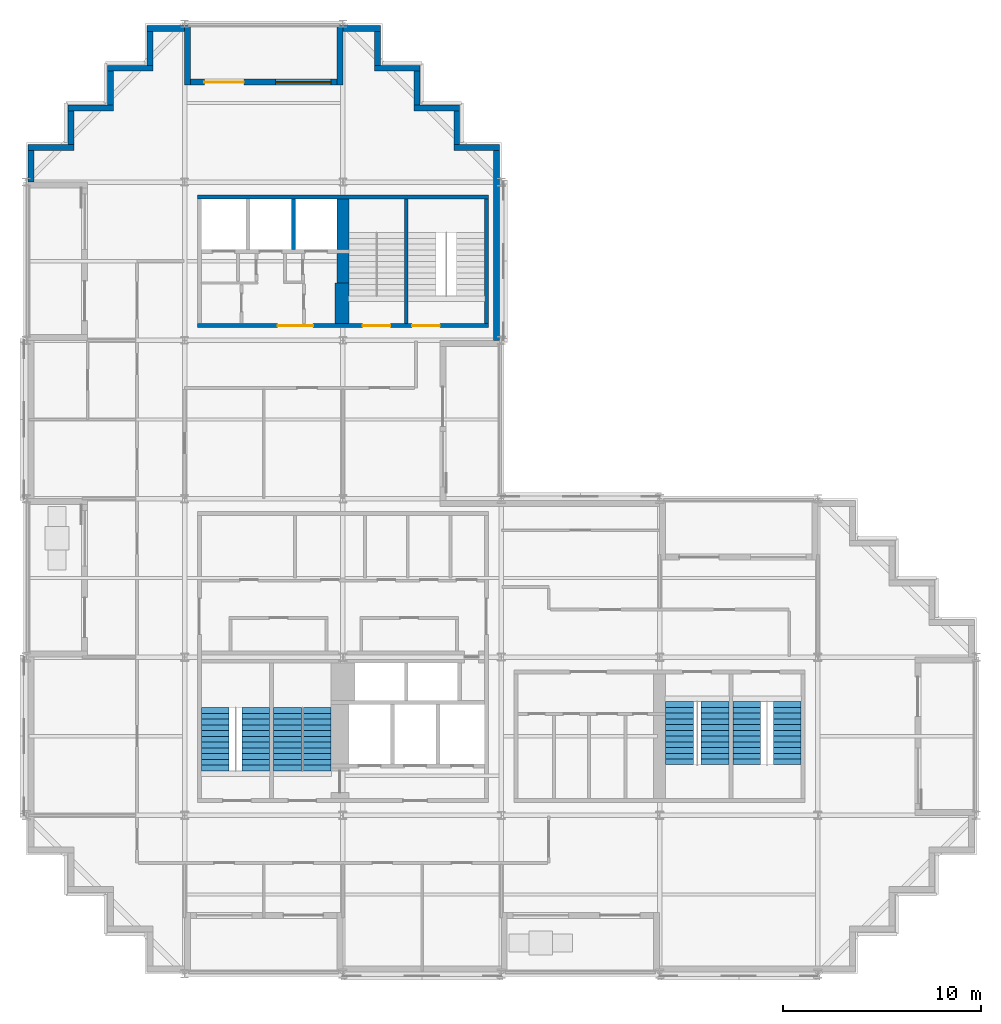
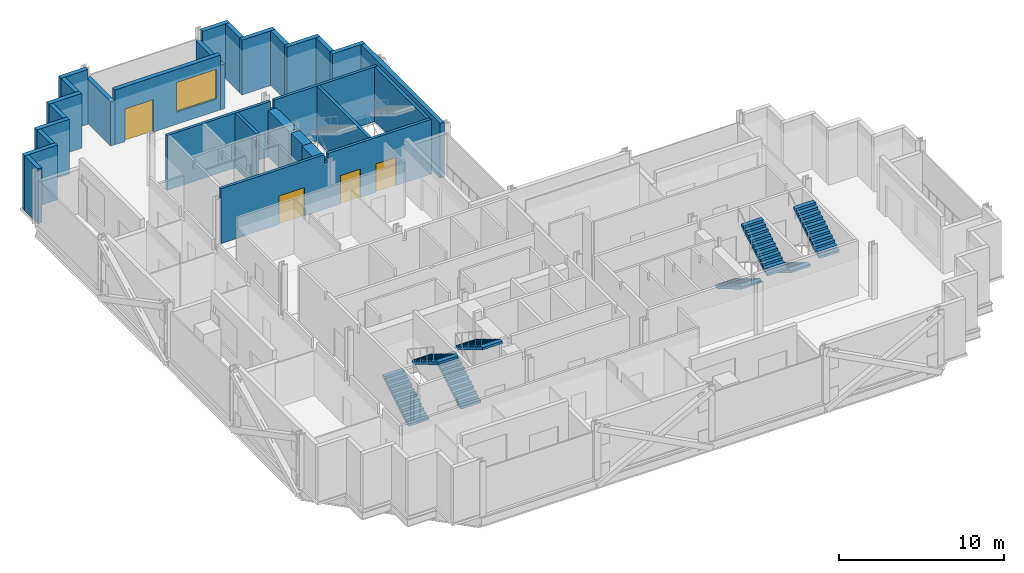
# One storey, part 9 of 13: 27 walls, 8 stair flights, 4 doors, 1 window, 5 openings, 4 elements without a shape of their own.
"""IFC4 building model written with IfcOpenShell, lengths in metres."""

from ifc_helpers import new_model, si_unit, direction, frame, frame_2d, origin, place, context, subcontext, project, spatial, polyline, rectangle, outline, extrude, material, layer, layer_set, type_object, element, fill, aggregate, save


model = new_model("IFC4")

# Units and contexts
model_context = context("Model", 3, precision=1e-05, world=origin(), true_north=direction((0.0, 1.0)))
body_context = subcontext(model_context, "Body", "Model", "MODEL_VIEW")
ifc_project = project(units=[si_unit("LENGTHUNIT", "METRE"), si_unit("AREAUNIT", "SQUARE_METRE"), si_unit("VOLUMEUNIT", "CUBIC_METRE"), si_unit("PLANEANGLEUNIT", "RADIAN"), si_unit("MASSUNIT", "GRAM", prefix="KILO")], contexts=[model_context])

# Site, building, storey
site_placement = place(None, origin())
site = spatial("IfcSite", under=ifc_project, at=site_placement, CompositionType="ELEMENT")
building_placement = place(site_placement, origin())
building = spatial("IfcBuilding", under=site, at=building_placement, Name="Immortelle Media Tower", CompositionType="ELEMENT")
storey_placement = place(building_placement, frame((0.0, 0.0, 128.39990234375)))
storey = spatial("IfcBuildingStorey", under=building, at=storey_placement, Name="L25", CompositionType="ELEMENT", Elevation=128.39990234375)

# Walls
ifc_material_1 = material(Name="Fire-rated gypsum board", Category="gypsum")
ifc_layer_1 = layer(ifc_material_1, 0.03759765625)
ifc_material_2 = material(Name="Steel ASTM A653 SS Gr 50 stud frame with mineral wool", Category="steel")
ifc_layer_2 = layer(ifc_material_2, 0.125)
ifc_layer_3 = layer(ifc_material_1, 0.03759765625)
ifc_layer_set_1 = layer_set([ifc_layer_1, ifc_layer_2, ifc_layer_3], Name="Steel ASTM A653 SS Gr 50 stud frame with mineral wool")
wall_type_1 = type_object("IfcWallType", Name="Core shaft wall 200", PredefinedType="PARTITIONING", material=ifc_layer_set_1)
wall_1_placement = place(storey_placement, frame((13.5, 36.60009765625, 0.0), z_axis=(0.0, 0.0, 1.0), x_axis=(0.0, 1.0, 0.0)))
element("IfcWall", 1, at=wall_1_placement, inside=storey, type_object=wall_type_1, Name="Core shaft wall NW", PredefinedType="PARTITIONING", context=body_context, shape_type="SweptSolid", body=[
    extrude(rectangle(XDim=2.5498046875, YDim=0.199951171875, at=frame_2d((1.27490234375, 0.0))), origin(), (0.0, 0.0, 1.0), 4.050048828125),
])
ifc_material_3 = material(Name="Pale aluminium cladding panel", Category="aluminium")
ifc_layer_4 = layer(ifc_material_3, 0.030029296875)
ifc_layer_5 = layer(ifc_material_2, 0.257568359375)
ifc_material_4 = material(Name="Moisture-resistant gypsum board", Category="gypsum")
ifc_layer_6 = layer(ifc_material_4, 0.012451171875)
ifc_layer_set_2 = layer_set([ifc_layer_4, ifc_layer_5, ifc_layer_6], Name="Steel ASTM A653 SS Gr 50 stud frame with mineral wool")
wall_type_2 = type_object("IfcWallType", Name="Facade wall 300", PredefinedType="SOLIDWALL", material=ifc_layer_set_2)
wall_2_placement = place(storey_placement, frame((23.75, 32.0, 0.0), z_axis=(0.0, 0.0, 1.0), x_axis=(0.0, 1.0, 0.0)))
element("IfcWall", 2, at=wall_2_placement, inside=storey, type_object=wall_type_2, Name="Facade wall L25 E21", PredefinedType="SOLIDWALL", context=body_context, shape_type="SweptSolid", body=[
    extrude(rectangle(XDim=9.60009765625, YDim=0.300048828125, at=frame_2d((4.800048828125, 0.0))), origin(), (0.0, 0.0, 1.0), 4.050048828125),
])
wall_3_placement = place(storey_placement, frame((23.89990234375, 41.75, 0.0), z_axis=(0.0, 0.0, 1.0), x_axis=(-1.0, 0.0, 0.0)))
element("IfcWall", 3, at=wall_3_placement, inside=storey, type_object=wall_type_2, Name="Facade wall L25 N22", PredefinedType="SOLIDWALL", context=body_context, shape_type="SweptSolid", body=[
    extrude(rectangle(XDim=2.2998046875, YDim=0.300048828125, at=frame_2d((1.14990234375, 0.0))), origin(), (0.0, 0.0, 1.0), 4.050048828125),
])
wall_4_placement = place(storey_placement, frame((21.75, 41.89990234375, 0.0), z_axis=(0.0, 0.0, 1.0), x_axis=(0.0, 1.0, 0.0)))
element("IfcWall", 4, at=wall_4_placement, inside=storey, type_object=wall_type_2, Name="Facade wall L25 E23", PredefinedType="SOLIDWALL", context=body_context, shape_type="SweptSolid", body=[
    extrude(rectangle(XDim=1.7001953125, YDim=0.300048828125, at=frame_2d((0.85009765625, 0.0))), origin(), (0.0, 0.0, 1.0), 4.050048828125),
])
wall_5_placement = place(storey_placement, frame((21.89990234375, 43.75, 0.0), z_axis=(0.0, 0.0, 1.0), x_axis=(-1.0, 0.0, 0.0)))
element("IfcWall", 5, at=wall_5_placement, inside=storey, type_object=wall_type_2, Name="Facade wall L25 N24", PredefinedType="SOLIDWALL", context=body_context, shape_type="SweptSolid", body=[
    extrude(rectangle(XDim=2.2998046875, YDim=0.300048828125, at=frame_2d((1.14990234375, 0.0))), origin(), (0.0, 0.0, 1.0), 4.050048828125),
])
wall_6_placement = place(storey_placement, frame((19.75, 43.89990234375, 0.0), z_axis=(0.0, 0.0, 1.0), x_axis=(0.0, 1.0, 0.0)))
element("IfcWall", 6, at=wall_6_placement, inside=storey, type_object=wall_type_2, Name="Facade wall L25 E25", PredefinedType="SOLIDWALL", context=body_context, shape_type="SweptSolid", body=[
    extrude(rectangle(XDim=1.7001953125, YDim=0.300048828125, at=frame_2d((0.85009765625, 0.0))), origin(), (0.0, 0.0, 1.0), 4.050048828125),
])
wall_7_placement = place(storey_placement, frame((19.89990234375, 45.75, 0.0), z_axis=(0.0, 0.0, 1.0), x_axis=(-1.0, 0.0, 0.0)))
element("IfcWall", 7, at=wall_7_placement, inside=storey, type_object=wall_type_2, Name="Facade wall L25 N26", PredefinedType="SOLIDWALL", context=body_context, shape_type="SweptSolid", body=[
    extrude(rectangle(XDim=2.2998046875, YDim=0.300048828125, at=frame_2d((1.14990234375, 0.0))), origin(), (0.0, 0.0, 1.0), 4.050048828125),
])
wall_8_placement = place(storey_placement, frame((17.75, 45.89990234375, 0.0), z_axis=(0.0, 0.0, 1.0), x_axis=(0.0, 1.0, 0.0)))
element("IfcWall", 8, at=wall_8_placement, inside=storey, type_object=wall_type_2, Name="Facade wall L25 E27", PredefinedType="SOLIDWALL", context=body_context, shape_type="SweptSolid", body=[
    extrude(rectangle(XDim=1.7001953125, YDim=0.300048828125, at=frame_2d((0.85009765625, 0.0))), origin(), (0.0, 0.0, 1.0), 4.050048828125),
])
wall_9_placement = place(storey_placement, frame((17.89990234375, 47.75, 0.0), z_axis=(0.0, 0.0, 1.0), x_axis=(-1.0, 0.0, 0.0)))
element("IfcWall", 9, at=wall_9_placement, inside=storey, type_object=wall_type_2, Name="Facade wall L25 N28", PredefinedType="SOLIDWALL", context=body_context, shape_type="SweptSolid", body=[
    extrude(rectangle(XDim=1.89990234375, YDim=0.300048828125, at=frame_2d((0.949951171875, 0.0))), origin(), (0.0, 0.0, 1.0), 4.050048828125),
])

# Wall, openings, door, window
wall_10_placement = place(storey_placement, frame((15.699951171875, 45.050048828125, 0.0), z_axis=(0.0, 0.0, 1.0), x_axis=(-1.0, 0.0, 0.0)))
wall_10 = element("IfcWall", 10, at=wall_10_placement, inside=storey, type_object=wall_type_2, Name="Loggia wall L25 N28", PredefinedType="SOLIDWALL", context=body_context, shape_type="SweptSolid", body=[
    extrude(rectangle(XDim=7.39990234375, YDim=0.300048828125, at=frame_2d((3.699951171875, 0.0))), origin(), (0.0, 0.0, 1.0), 4.050048828125),
])
opening_1_placement = place(wall_10_placement, frame((0.300048828125, 0.0, 0.89990234375)))
opening_1 = element("IfcOpeningElement", 11, at=opening_1_placement, cuts=wall_10, Name="Opening W1", PredefinedType="OPENING", context=body_context, shape_type="SweptSolid", body=[
    extrude(rectangle(XDim=2.800048828125, YDim=2.199951171875, at=frame_2d((1.39990234375, 1.10009765625))), frame((0.0, 0.159912109375, 0.0), z_axis=(0.0, -1.0, 0.0), x_axis=(1.0, 0.0, 0.0)), (0.0, 0.0, 1.0), 0.320068359375),
])
opening_2_placement = place(wall_10_placement, frame((4.699951171875, 0.0, 0.0)))
opening_2 = element("IfcOpeningElement", 12, at=opening_2_placement, cuts=wall_10, Name="Opening C1-E006", PredefinedType="OPENING", context=body_context, shape_type="SweptSolid", body=[
    extrude(rectangle(XDim=2.0, YDim=2.39990234375, at=frame_2d((1.0, 1.199951171875))), frame((0.0, 0.159912109375, 0.0), z_axis=(0.0, -1.0, 0.0), x_axis=(1.0, 0.0, 0.0)), (0.0, 0.0, 1.0), 0.320068359375),
])
ifc_material_5 = material(Name="Aluminium frame, glazed leaves", Category="aluminium")
door_type_1 = type_object("IfcDoorType", Name="Loggia door 2000 x 2400", OperationType="DOUBLE_DOOR_SINGLE_SWING", PredefinedType="DOOR", material=ifc_material_5)
door_1_placement = place(opening_2_placement, origin())
door_1 = element("IfcDoor", 13, at=door_1_placement, inside=storey, type_object=door_type_1, Name="Door C1-E006", OperationType="DOUBLE_DOOR_SINGLE_SWING", OverallHeight=2.39990234375, OverallWidth=2.0, PredefinedType="DOOR", context=body_context, shape_type="SweptSolid", body=[
    extrude(rectangle(XDim=2.0, YDim=2.39990234375, at=frame_2d((1.0, 1.199951171875))), frame((0.0, 0.02490234375, 0.0), z_axis=(0.0, -1.0, 0.0), x_axis=(1.0, 0.0, 0.0)), (0.0, 0.0, 1.0), 0.050048828125),
])
fill(opening_2, door_1)
ifc_material_6 = material(Name="Aluminium frame", Category="aluminium")
window_type = type_object("IfcWindowType", Name="Window 2800 x 2200", PartitioningType="SINGLE_PANEL", PredefinedType="WINDOW", material=ifc_material_6)
window_placement = place(opening_1_placement, origin())
window = element("IfcWindow", 14, at=window_placement, inside=storey, type_object=window_type, Name="Window L25 L25-R28-B0", OverallHeight=2.199951171875, OverallWidth=2.800048828125, PartitioningType="SINGLE_PANEL", PredefinedType="WINDOW", context=body_context, shape_type="SweptSolid", body=[
    extrude(rectangle(XDim=2.800048828125, YDim=2.199951171875, at=frame_2d((1.39990234375, 1.10009765625))), frame((0.0, 0.030029296875, 0.0), z_axis=(0.0, -1.0, 0.0), x_axis=(1.0, 0.0, 0.0)), (0.0, 0.0, 1.0), 0.06005859375),
])
fill(opening_1, window)

# Walls
for number, where, z_axis, x_axis, name in (
    (15, (15.85009765625, 47.89990234375, 0.0), (0.0, 0.0, 1.0), (0.0, -1.0, 0.0), "Loggia cheek wall L25 N"),
    (16, (8.14990234375, 47.89990234375, 0.0), (0.0, 0.0, 1.0), (0.0, -1.0, 0.0), "Loggia cheek wall L25 N"),
):
    element("IfcWall", number, at=place(storey_placement, frame(where, z_axis=z_axis, x_axis=x_axis)), inside=storey, type_object=wall_type_2, Name=name, PredefinedType="SOLIDWALL", context=body_context, shape_type="SweptSolid", body=[
        extrude(rectangle(XDim=3.0, YDim=0.300048828125, at=frame_2d((1.5, 0.0))), origin(), (0.0, 0.0, 1.0), 3.287109375),
    ])
wall_11_placement = place(storey_placement, frame((8.0, 47.75, 0.0), z_axis=(0.0, 0.0, 1.0), x_axis=(-1.0, 0.0, 0.0)))
element("IfcWall", 17, at=wall_11_placement, inside=storey, type_object=wall_type_2, Name="Facade wall L25 N28", PredefinedType="SOLIDWALL", context=body_context, shape_type="SweptSolid", body=[
    extrude(rectangle(XDim=1.89990234375, YDim=0.300048828125, at=frame_2d((0.949951171875, 0.0))), origin(), (0.0, 0.0, 1.0), 4.050048828125),
])
wall_12_placement = place(storey_placement, frame((6.25, 47.60009765625, 0.0), z_axis=(0.0, 0.0, 1.0), x_axis=(0.0, -1.0, 0.0)))
element("IfcWall", 18, at=wall_12_placement, inside=storey, type_object=wall_type_2, Name="Facade wall L25 W29", PredefinedType="SOLIDWALL", context=body_context, shape_type="SweptSolid", body=[
    extrude(rectangle(XDim=1.7001953125, YDim=0.300048828125, at=frame_2d((0.85009765625, 0.0))), origin(), (0.0, 0.0, 1.0), 4.050048828125),
])
wall_13_placement = place(storey_placement, frame((6.39990234375, 45.75, 0.0), z_axis=(0.0, 0.0, 1.0), x_axis=(-1.0, 0.0, 0.0)))
element("IfcWall", 19, at=wall_13_placement, inside=storey, type_object=wall_type_2, Name="Facade wall L25 N30", PredefinedType="SOLIDWALL", context=body_context, shape_type="SweptSolid", body=[
    extrude(rectangle(XDim=2.2998046875, YDim=0.300048828125, at=frame_2d((1.14990234375, 0.0))), origin(), (0.0, 0.0, 1.0), 4.050048828125),
])
wall_14_placement = place(storey_placement, frame((4.25, 45.60009765625, 0.0), z_axis=(0.0, 0.0, 1.0), x_axis=(0.0, -1.0, 0.0)))
element("IfcWall", 20, at=wall_14_placement, inside=storey, type_object=wall_type_2, Name="Facade wall L25 W31", PredefinedType="SOLIDWALL", context=body_context, shape_type="SweptSolid", body=[
    extrude(rectangle(XDim=1.7001953125, YDim=0.300048828125, at=frame_2d((0.85009765625, 0.0))), origin(), (0.0, 0.0, 1.0), 4.050048828125),
])
wall_15_placement = place(storey_placement, frame((4.39990234375, 43.75, 0.0), z_axis=(0.0, 0.0, 1.0), x_axis=(-1.0, 0.0, 0.0)))
element("IfcWall", 21, at=wall_15_placement, inside=storey, type_object=wall_type_2, Name="Facade wall L25 N32", PredefinedType="SOLIDWALL", context=body_context, shape_type="SweptSolid", body=[
    extrude(rectangle(XDim=2.2998046875, YDim=0.300048828125, at=frame_2d((1.14990234375, 0.0))), origin(), (0.0, 0.0, 1.0), 4.050048828125),
])
wall_16_placement = place(storey_placement, frame((2.25, 43.60009765625, 0.0), z_axis=(0.0, 0.0, 1.0), x_axis=(0.0, -1.0, 0.0)))
element("IfcWall", 22, at=wall_16_placement, inside=storey, type_object=wall_type_2, Name="Facade wall L25 W33", PredefinedType="SOLIDWALL", context=body_context, shape_type="SweptSolid", body=[
    extrude(rectangle(XDim=1.7001953125, YDim=0.300048828125, at=frame_2d((0.85009765625, 0.0))), origin(), (0.0, 0.0, 1.0), 4.050048828125),
])
wall_17_placement = place(storey_placement, frame((2.39990234375, 41.75, 0.0), z_axis=(0.0, 0.0, 1.0), x_axis=(-1.0, 0.0, 0.0)))
element("IfcWall", 23, at=wall_17_placement, inside=storey, type_object=wall_type_2, Name="Facade wall L25 N34", PredefinedType="SOLIDWALL", context=body_context, shape_type="SweptSolid", body=[
    extrude(rectangle(XDim=2.2998046875, YDim=0.300048828125, at=frame_2d((1.14990234375, 0.0))), origin(), (0.0, 0.0, 1.0), 4.050048828125),
])
wall_18_placement = place(storey_placement, frame((0.25, 41.60009765625, 0.0), z_axis=(0.0, 0.0, 1.0), x_axis=(0.0, -1.0, 0.0)))
element("IfcWall", 24, at=wall_18_placement, inside=storey, type_object=wall_type_2, Name="Facade wall L25 W35", PredefinedType="SOLIDWALL", context=body_context, shape_type="SweptSolid", body=[
    extrude(rectangle(XDim=1.60009765625, YDim=0.300048828125, at=frame_2d((0.800048828125, 0.0))), origin(), (0.0, 0.0, 1.0), 4.050048828125),
])

# Wall, openings, doors
ifc_material_7 = material(Name="Concrete C60", Category="concrete")
ifc_layer_7 = layer(ifc_material_7, 0.199951171875)
ifc_layer_set_3 = layer_set([ifc_layer_7], Name="Concrete C60")
wall_type_3 = type_object("IfcWallType", Name="Stair shaft wall 200", PredefinedType="PARTITIONING", material=ifc_layer_set_3)
wall_19_placement = place(storey_placement, frame((8.64990234375, 32.75, 0.0), z_axis=(0.0, 0.0, 1.0), x_axis=(1.0, 0.0, 0.0)))
wall_19 = element("IfcWall", 25, at=wall_19_placement, inside=storey, type_object=wall_type_3, Name="Stair shaft wall NW", PredefinedType="PARTITIONING", context=body_context, shape_type="SweptSolid", body=[
    extrude(outline(polyline([(0.0, 0.0), (14.7001953125, 0.0), (14.699951171875, 4.050048828125), (7.469482421875, 4.050048828125), (7.468505859375, 3.43212890625), (7.2314453125, 3.43212890625), (7.23046875, 4.050048828125), (0.0, 4.050048828125), (0.0, 0.0)])), frame((0.0, 0.10009765625, 0.0), z_axis=(0.0, -1.0, 0.0), x_axis=(1.0, 0.0, 0.0)), (0.0, 0.0, 1.0), 0.199951171875),
])
opening_3_placement = place(wall_19_placement, frame((4.050048828125, 0.0, 0.0)))
opening_3 = element("IfcOpeningElement", 26, at=opening_3_placement, cuts=wall_19, Name="Opening C1-K029", PredefinedType="OPENING", context=body_context, shape_type="SweptSolid", body=[
    extrude(rectangle(XDim=1.800048828125, YDim=2.10009765625, at=frame_2d((0.89990234375, 1.050048828125))), frame((0.0, 0.10986328125, 0.0), z_axis=(0.0, -1.0, 0.0), x_axis=(1.0, 0.0, 0.0)), (0.0, 0.0, 1.0), 0.219970703125),
])
opening_4_placement = place(wall_19_placement, frame((8.35009765625, 0.0, 0.0)))
opening_4 = element("IfcOpeningElement", 27, at=opening_4_placement, cuts=wall_19, Name="Opening C1-K033", PredefinedType="OPENING", context=body_context, shape_type="SweptSolid", body=[
    extrude(rectangle(XDim=1.39990234375, YDim=2.10009765625, at=frame_2d((0.699951171875, 1.050048828125))), frame((0.0, 0.10986328125, 0.0), z_axis=(0.0, -1.0, 0.0), x_axis=(1.0, 0.0, 0.0)), (0.0, 0.0, 1.0), 0.219970703125),
])
opening_5_placement = place(wall_19_placement, frame((10.85009765625, 0.0, 0.0)))
opening_5 = element("IfcOpeningElement", 28, at=opening_5_placement, cuts=wall_19, Name="Opening C1-K034", PredefinedType="OPENING", context=body_context, shape_type="SweptSolid", body=[
    extrude(rectangle(XDim=1.39990234375, YDim=2.10009765625, at=frame_2d((0.699951171875, 1.050048828125))), frame((0.0, 0.10986328125, 0.0), z_axis=(0.0, -1.0, 0.0), x_axis=(1.0, 0.0, 0.0)), (0.0, 0.0, 1.0), 0.219970703125),
])
ifc_material_8 = material(Name="Galvanised steel door leaf and frame ASTM A653", Category="steel")
door_type_2 = type_object("IfcDoorType", Name="Lift lobby door 1800 x 2100", OperationType="DOUBLE_DOOR_SINGLE_SWING", PredefinedType="NOTDEFINED", material=ifc_material_8)
door_2_placement = place(opening_3_placement, origin())
door_2 = element("IfcDoor", 29, at=door_2_placement, inside=storey, type_object=door_type_2, Name="Lift lobby C1-K029", OperationType="DOUBLE_DOOR_SINGLE_SWING", OverallHeight=2.10009765625, OverallWidth=1.800048828125, PredefinedType="NOTDEFINED", context=body_context, shape_type="SweptSolid", body=[
    extrude(rectangle(XDim=1.800048828125, YDim=2.10009765625, at=frame_2d((0.89990234375, 1.050048828125))), frame((0.0, 0.02490234375, 0.0), z_axis=(0.0, -1.0, 0.0), x_axis=(1.0, 0.0, 0.0)), (0.0, 0.0, 1.0), 0.050048828125),
])
fill(opening_3, door_2)
door_type_3 = type_object("IfcDoorType", Name="Stair door 1400 x 2100", OperationType="DOUBLE_DOOR_SINGLE_SWING", PredefinedType="NOTDEFINED", material=ifc_material_8)
door_3_placement = place(opening_4_placement, origin())
door_3 = element("IfcDoor", 30, at=door_3_placement, inside=storey, type_object=door_type_3, Name="Stair C1-K033", OperationType="DOUBLE_DOOR_SINGLE_SWING", OverallHeight=2.10009765625, OverallWidth=1.39990234375, PredefinedType="NOTDEFINED", context=body_context, shape_type="SweptSolid", body=[
    extrude(rectangle(XDim=1.39990234375, YDim=2.10009765625, at=frame_2d((0.699951171875, 1.050048828125))), frame((0.0, 0.02490234375, 0.0), z_axis=(0.0, -1.0, 0.0), x_axis=(1.0, 0.0, 0.0)), (0.0, 0.0, 1.0), 0.050048828125),
])
fill(opening_4, door_3)
door_4_placement = place(opening_5_placement, origin())
door_4 = element("IfcDoor", 31, at=door_4_placement, inside=storey, type_object=door_type_3, Name="Stair C1-K034", OperationType="DOUBLE_DOOR_SINGLE_SWING", OverallHeight=2.10009765625, OverallWidth=1.39990234375, PredefinedType="NOTDEFINED", context=body_context, shape_type="SweptSolid", body=[
    extrude(rectangle(XDim=1.39990234375, YDim=2.10009765625, at=frame_2d((0.699951171875, 1.050048828125))), frame((0.0, 0.02490234375, 0.0), z_axis=(0.0, -1.0, 0.0), x_axis=(1.0, 0.0, 0.0)), (0.0, 0.0, 1.0), 0.050048828125),
])
fill(opening_5, door_4)

# Walls
wall_20_placement = place(storey_placement, frame((8.64990234375, 39.25, 0.0), z_axis=(0.0, 0.0, 1.0), x_axis=(1.0, 0.0, 0.0)))
element("IfcWall", 32, at=wall_20_placement, inside=storey, type_object=wall_type_3, Name="Stair shaft wall NW", PredefinedType="PARTITIONING", context=body_context, shape_type="SweptSolid", body=[
    extrude(outline(polyline([(0.0, 0.0), (14.7001953125, 0.0), (14.699951171875, 4.050048828125), (7.469482421875, 4.050048828125), (7.468505859375, 3.43212890625), (7.2314453125, 3.43212890625), (7.23046875, 4.050048828125), (0.0, 4.050048828125), (0.0, 0.0)])), frame((0.0, 0.10009765625, 0.0), z_axis=(0.0, -1.0, 0.0), x_axis=(1.0, 0.0, 0.0)), (0.0, 0.0, 1.0), 0.199951171875),
])
for number, where, z_axis, x_axis, name in (
    (33, (19.199951171875, 32.85009765625, 0.0), (0.0, 0.0, 1.0), (0.0, 1.0, 0.0), "Stair shaft wall NW"),
    (34, (23.25, 32.85009765625, 0.0), (0.0, 0.0, 1.0), (0.0, 1.0, 0.0), "Stair shaft wall NW"),
):
    element("IfcWall", number, at=place(storey_placement, frame(where, z_axis=z_axis, x_axis=x_axis)), inside=storey, type_object=wall_type_3, Name=name, PredefinedType="PARTITIONING", context=body_context, shape_type="SweptSolid", body=[
        extrude(rectangle(XDim=6.2998046875, YDim=0.199951171875, at=frame_2d((3.14990234375, 0.0))), origin(), (0.0, 0.0, 1.0), 4.050048828125),
    ])
ifc_layer_8 = layer(ifc_material_7, 0.60009765625)
ifc_layer_set_4 = layer_set([ifc_layer_8], Name="Concrete C60")
wall_type_4 = type_object("IfcWallType", Name="Stair shaft wall 600", PredefinedType="PARTITIONING", material=ifc_layer_set_4)
wall_21_placement = place(storey_placement, frame((16.0, 34.89990234375, 0.0), z_axis=(0.0, 0.0, 1.0), x_axis=(0.0, 1.0, 0.0)))
element("IfcWall", 35, at=wall_21_placement, inside=storey, type_object=wall_type_4, Name="Stair shaft wall NW", PredefinedType="PARTITIONING", context=body_context, shape_type="SweptSolid", body=[
    extrude(rectangle(XDim=1.5, YDim=0.60009765625, at=frame_2d((0.75, 0.0))), origin(), (0.0, 0.0, 1.0), 3.43212890625),
])
wall_22_placement = place(storey_placement, frame((16.0, 36.60009765625, 0.0), z_axis=(0.0, 0.0, 1.0), x_axis=(0.0, 1.0, 0.0)))
element("IfcWall", 36, at=wall_22_placement, inside=storey, type_object=wall_type_4, Name="Stair shaft wall NW", PredefinedType="PARTITIONING", context=body_context, shape_type="SweptSolid", body=[
    extrude(rectangle(XDim=2.5498046875, YDim=0.60009765625, at=frame_2d((1.27490234375, 0.0))), origin(), (0.0, 0.0, 1.0), 3.43212890625),
])
ifc_layer_9 = layer(ifc_material_7, 0.699951171875)
ifc_layer_set_5 = layer_set([ifc_layer_9], Name="Concrete C60")
wall_type_5 = type_object("IfcWallType", Name="Stair shaft wall 700", PredefinedType="PARTITIONING", material=ifc_layer_set_5)
wall_23_placement = place(storey_placement, frame((15.949951171875, 32.85009765625, 0.0), z_axis=(0.0, 0.0, 1.0), x_axis=(0.0, 1.0, 0.0)))
element("IfcWall", 37, at=wall_23_placement, inside=storey, type_object=wall_type_5, Name="Stair shaft wall NW", PredefinedType="PARTITIONING", context=body_context, shape_type="SweptSolid", body=[
    extrude(rectangle(XDim=2.0498046875, YDim=0.699951171875, at=frame_2d((1.02490234375, 0.0))), origin(), (0.0, 0.0, 1.0), 3.43212890625),
])

# Stair, stair flights
ifc_material_9 = material(Name="Steel ASTM A992 Gr 50", Category="steel")
stair_type = type_object("IfcStairType", Name="Stair with flights", PredefinedType="DOUBLE_RETURN_STAIR", material=ifc_material_9)
stair_1_placement = place(storey_placement, origin())
stair_1 = element("IfcStair", 38, at=stair_1_placement, inside=storey, type_object=stair_type, Name="Exit stair SW1", PredefinedType="DOUBLE_RETURN_STAIR")
stair_flight_type = type_object("IfcStairFlightType", Name="Stair flight 1400", PredefinedType="STRAIGHT", material=ifc_material_9)
stair_flight_1_placement = place(storey_placement, frame((9.550048828125, 10.25, 0.0), z_axis=(0.0, 0.0, 1.0), x_axis=(0.0, 1.0, 0.0)))
stair_flight_1 = element("IfcStairFlight", 39, at=stair_flight_1_placement, type_object=stair_flight_type, Name="ST SW1 flight 1", NumberOfRisers=12, NumberOfTreads=11, PredefinedType="STRAIGHT", RiserHeight=0.175, TreadLength=0.29, context=body_context, shape_type="SweptSolid", body=[
    extrude(outline(polyline([(0.0, 0.0), (0.0, 0.175048828125), (0.2900390625, 0.175048828125), (0.2900390625, 0.35009765625), (0.580078125, 0.35009765625), (0.580078125, 0.52490234375), (0.8701171875, 0.52490234375), (0.8701171875, 0.699951171875), (1.159912109375, 0.699951171875), (1.159912109375, 0.875), (1.449951171875, 0.875), (1.449951171875, 1.050048828125), (1.739990234375, 1.050048828125), (1.739990234375, 1.22509765625), (2.030029296875, 1.22509765625), (2.030029296875, 1.39990234375), (2.320068359375, 1.39990234375), (2.320068359375, 1.574951171875), (2.610107421875, 1.574951171875), (2.610107421875, 1.75), (2.89990234375, 1.75), (2.89990234375, 1.925048828125), (3.18994140625, 1.925048828125), (3.18994140625, 2.10009765625), (3.18994140625, 1.75), (0.2900390625, 0.0), (0.0, 0.0)])), frame((0.0, 0.699951171875, 0.0), z_axis=(0.0, -1.0, 0.0), x_axis=(1.0, 0.0, 0.0)), (0.0, 0.0, 1.0), 1.39990234375),
])
stair_flight_2_placement = place(storey_placement, frame((11.60009765625, 13.43994140625, 2.10009765625), z_axis=(0.0, 0.0, 1.0), x_axis=(0.0, -1.0, 0.0)))
stair_flight_2 = element("IfcStairFlight", 40, at=stair_flight_2_placement, type_object=stair_flight_type, Name="ST SW1 flight 2", NumberOfRisers=12, NumberOfTreads=11, PredefinedType="STRAIGHT", RiserHeight=0.175, TreadLength=0.29, context=body_context, shape_type="SweptSolid", body=[
    extrude(outline(polyline([(0.0, 0.0), (0.0, 0.175048828125), (0.2900390625, 0.175048828125), (0.2900390625, 0.35009765625), (0.580078125, 0.35009765625), (0.580078125, 0.52490234375), (0.8701171875, 0.52490234375), (0.8701171875, 0.699951171875), (1.159912109375, 0.699951171875), (1.159912109375, 0.875), (1.449951171875, 0.875), (1.449951171875, 1.050048828125), (1.739990234375, 1.050048828125), (1.739990234375, 1.22509765625), (2.030029296875, 1.22509765625), (2.030029296875, 1.39990234375), (2.320068359375, 1.39990234375), (2.320068359375, 1.574951171875), (2.610107421875, 1.574951171875), (2.610107421875, 1.75), (2.89990234375, 1.75), (2.89990234375, 1.925048828125), (3.18994140625, 1.925048828125), (3.18994140625, 2.10009765625), (3.18994140625, 1.75), (0.2900390625, 0.0), (0.0, 0.0)])), frame((0.0, 0.699951171875, 0.0), z_axis=(0.0, -1.0, 0.0), x_axis=(1.0, 0.0, 0.0)), (0.0, 0.0, 1.0), 1.39990234375),
])
aggregate(stair_1, [stair_flight_1, stair_flight_2])

stair_2_placement = place(storey_placement, origin())
stair_2 = element("IfcStair", 41, at=stair_2_placement, inside=storey, type_object=stair_type, Name="Exit stair SW2", PredefinedType="DOUBLE_RETURN_STAIR")
stair_flight_3_placement = place(storey_placement, frame((13.199951171875, 10.25, 0.0), z_axis=(0.0, 0.0, 1.0), x_axis=(0.0, 1.0, 0.0)))
stair_flight_3 = element("IfcStairFlight", 42, at=stair_flight_3_placement, type_object=stair_flight_type, Name="ST SW2 flight 1", NumberOfRisers=12, NumberOfTreads=11, PredefinedType="STRAIGHT", RiserHeight=0.175, TreadLength=0.29, context=body_context, shape_type="SweptSolid", body=[
    extrude(outline(polyline([(0.0, 0.0), (0.0, 0.175048828125), (0.2900390625, 0.175048828125), (0.2900390625, 0.35009765625), (0.580078125, 0.35009765625), (0.580078125, 0.52490234375), (0.8701171875, 0.52490234375), (0.8701171875, 0.699951171875), (1.159912109375, 0.699951171875), (1.159912109375, 0.875), (1.449951171875, 0.875), (1.449951171875, 1.050048828125), (1.739990234375, 1.050048828125), (1.739990234375, 1.22509765625), (2.030029296875, 1.22509765625), (2.030029296875, 1.39990234375), (2.320068359375, 1.39990234375), (2.320068359375, 1.574951171875), (2.610107421875, 1.574951171875), (2.610107421875, 1.75), (2.89990234375, 1.75), (2.89990234375, 1.925048828125), (3.18994140625, 1.925048828125), (3.18994140625, 2.10009765625), (3.18994140625, 1.75), (0.2900390625, 0.0), (0.0, 0.0)])), frame((0.0, 0.699951171875, 0.0), z_axis=(0.0, -1.0, 0.0), x_axis=(1.0, 0.0, 0.0)), (0.0, 0.0, 1.0), 1.39990234375),
])
stair_flight_4_placement = place(storey_placement, frame((14.699951171875, 13.43994140625, 2.10009765625), z_axis=(0.0, 0.0, 1.0), x_axis=(0.0, -1.0, 0.0)))
stair_flight_4 = element("IfcStairFlight", 43, at=stair_flight_4_placement, type_object=stair_flight_type, Name="ST SW2 flight 2", NumberOfRisers=12, NumberOfTreads=11, PredefinedType="STRAIGHT", RiserHeight=0.175, TreadLength=0.29, context=body_context, shape_type="SweptSolid", body=[
    extrude(outline(polyline([(0.0, 0.0), (0.0, 0.175048828125), (0.2900390625, 0.175048828125), (0.2900390625, 0.35009765625), (0.580078125, 0.35009765625), (0.580078125, 0.52490234375), (0.8701171875, 0.52490234375), (0.8701171875, 0.699951171875), (1.159912109375, 0.699951171875), (1.159912109375, 0.875), (1.449951171875, 0.875), (1.449951171875, 1.050048828125), (1.739990234375, 1.050048828125), (1.739990234375, 1.22509765625), (2.030029296875, 1.22509765625), (2.030029296875, 1.39990234375), (2.320068359375, 1.39990234375), (2.320068359375, 1.574951171875), (2.610107421875, 1.574951171875), (2.610107421875, 1.75), (2.89990234375, 1.75), (2.89990234375, 1.925048828125), (3.18994140625, 1.925048828125), (3.18994140625, 2.10009765625), (3.18994140625, 1.75), (0.2900390625, 0.0), (0.0, 0.0)])), frame((0.0, 0.699951171875, 0.0), z_axis=(0.0, -1.0, 0.0), x_axis=(1.0, 0.0, 0.0)), (0.0, 0.0, 1.0), 1.39990234375),
])
aggregate(stair_2, [stair_flight_3, stair_flight_4])

stair_3_placement = place(storey_placement, origin())
stair_3 = element("IfcStair", 44, at=stair_3_placement, inside=storey, type_object=stair_type, Name="Exit stair SE1", PredefinedType="DOUBLE_RETURN_STAIR")
stair_flight_5_placement = place(storey_placement, frame((33.0, 13.75, 0.0), z_axis=(0.0, 0.0, 1.0), x_axis=(0.0, -1.0, 0.0)))
stair_flight_5 = element("IfcStairFlight", 45, at=stair_flight_5_placement, type_object=stair_flight_type, Name="ST SE1 flight 1", NumberOfRisers=12, NumberOfTreads=11, PredefinedType="STRAIGHT", RiserHeight=0.175, TreadLength=0.29, context=body_context, shape_type="SweptSolid", body=[
    extrude(outline(polyline([(0.0, 0.0), (0.0, 0.175048828125), (0.2900390625, 0.175048828125), (0.2900390625, 0.35009765625), (0.580078125, 0.35009765625), (0.580078125, 0.52490234375), (0.8701171875, 0.52490234375), (0.8701171875, 0.699951171875), (1.159912109375, 0.699951171875), (1.159912109375, 0.875), (1.449951171875, 0.875), (1.449951171875, 1.050048828125), (1.739990234375, 1.050048828125), (1.739990234375, 1.22509765625), (2.030029296875, 1.22509765625), (2.030029296875, 1.39990234375), (2.320068359375, 1.39990234375), (2.320068359375, 1.574951171875), (2.610107421875, 1.574951171875), (2.610107421875, 1.75), (2.89990234375, 1.75), (2.89990234375, 1.925048828125), (3.18994140625, 1.925048828125), (3.18994140625, 2.10009765625), (3.18994140625, 1.75), (0.2900390625, 0.0), (0.0, 0.0)])), frame((0.0, 0.699951171875, 0.0), z_axis=(0.0, -1.0, 0.0), x_axis=(1.0, 0.0, 0.0)), (0.0, 0.0, 1.0), 1.39990234375),
])
stair_flight_6_placement = place(storey_placement, frame((34.800048828125, 10.56005859375, 2.10009765625), z_axis=(0.0, 0.0, 1.0), x_axis=(0.0, 1.0, 0.0)))
stair_flight_6 = element("IfcStairFlight", 46, at=stair_flight_6_placement, type_object=stair_flight_type, Name="ST SE1 flight 2", NumberOfRisers=12, NumberOfTreads=11, PredefinedType="STRAIGHT", RiserHeight=0.175, TreadLength=0.29, context=body_context, shape_type="SweptSolid", body=[
    extrude(outline(polyline([(0.0, 0.0), (0.0, 0.175048828125), (0.2900390625, 0.175048828125), (0.2900390625, 0.35009765625), (0.580078125, 0.35009765625), (0.580078125, 0.52490234375), (0.8701171875, 0.52490234375), (0.8701171875, 0.699951171875), (1.159912109375, 0.699951171875), (1.159912109375, 0.875), (1.449951171875, 0.875), (1.449951171875, 1.050048828125), (1.739990234375, 1.050048828125), (1.739990234375, 1.22509765625), (2.030029296875, 1.22509765625), (2.030029296875, 1.39990234375), (2.320068359375, 1.39990234375), (2.320068359375, 1.574951171875), (2.610107421875, 1.574951171875), (2.610107421875, 1.75), (2.89990234375, 1.75), (2.89990234375, 1.925048828125), (3.18994140625, 1.925048828125), (3.18994140625, 2.10009765625), (3.18994140625, 1.75), (0.2900390625, 0.0), (0.0, 0.0)])), frame((0.0, 0.699951171875, 0.0), z_axis=(0.0, -1.0, 0.0), x_axis=(1.0, 0.0, 0.0)), (0.0, 0.0, 1.0), 1.39990234375),
])
aggregate(stair_3, [stair_flight_5, stair_flight_6])

stair_4_placement = place(storey_placement, origin())
stair_4 = element("IfcStair", 47, at=stair_4_placement, inside=storey, type_object=stair_type, Name="Exit stair SE2", PredefinedType="DOUBLE_RETURN_STAIR")
stair_flight_7_placement = place(storey_placement, frame((36.39990234375, 13.75, 0.0), z_axis=(0.0, 0.0, 1.0), x_axis=(0.0, -1.0, 0.0)))
stair_flight_7 = element("IfcStairFlight", 48, at=stair_flight_7_placement, type_object=stair_flight_type, Name="ST SE2 flight 1", NumberOfRisers=12, NumberOfTreads=11, PredefinedType="STRAIGHT", RiserHeight=0.175, TreadLength=0.29, context=body_context, shape_type="SweptSolid", body=[
    extrude(outline(polyline([(0.0, 0.0), (0.0, 0.175048828125), (0.2900390625, 0.175048828125), (0.2900390625, 0.35009765625), (0.580078125, 0.35009765625), (0.580078125, 0.52490234375), (0.8701171875, 0.52490234375), (0.8701171875, 0.699951171875), (1.159912109375, 0.699951171875), (1.159912109375, 0.875), (1.449951171875, 0.875), (1.449951171875, 1.050048828125), (1.739990234375, 1.050048828125), (1.739990234375, 1.22509765625), (2.030029296875, 1.22509765625), (2.030029296875, 1.39990234375), (2.320068359375, 1.39990234375), (2.320068359375, 1.574951171875), (2.610107421875, 1.574951171875), (2.610107421875, 1.75), (2.89990234375, 1.75), (2.89990234375, 1.925048828125), (3.18994140625, 1.925048828125), (3.18994140625, 2.10009765625), (3.18994140625, 1.75), (0.2900390625, 0.0), (0.0, 0.0)])), frame((0.0, 0.699951171875, 0.0), z_axis=(0.0, -1.0, 0.0), x_axis=(1.0, 0.0, 0.0)), (0.0, 0.0, 1.0), 1.39990234375),
])
stair_flight_8_placement = place(storey_placement, frame((38.449951171875, 10.56005859375, 2.10009765625), z_axis=(0.0, 0.0, 1.0), x_axis=(0.0, 1.0, 0.0)))
stair_flight_8 = element("IfcStairFlight", 49, at=stair_flight_8_placement, type_object=stair_flight_type, Name="ST SE2 flight 2", NumberOfRisers=12, NumberOfTreads=11, PredefinedType="STRAIGHT", RiserHeight=0.175, TreadLength=0.29, context=body_context, shape_type="SweptSolid", body=[
    extrude(outline(polyline([(0.0, 0.0), (0.0, 0.175048828125), (0.2900390625, 0.175048828125), (0.2900390625, 0.35009765625), (0.580078125, 0.35009765625), (0.580078125, 0.52490234375), (0.8701171875, 0.52490234375), (0.8701171875, 0.699951171875), (1.159912109375, 0.699951171875), (1.159912109375, 0.875), (1.449951171875, 0.875), (1.449951171875, 1.050048828125), (1.739990234375, 1.050048828125), (1.739990234375, 1.22509765625), (2.030029296875, 1.22509765625), (2.030029296875, 1.39990234375), (2.320068359375, 1.39990234375), (2.320068359375, 1.574951171875), (2.610107421875, 1.574951171875), (2.610107421875, 1.75), (2.89990234375, 1.75), (2.89990234375, 1.925048828125), (3.18994140625, 1.925048828125), (3.18994140625, 2.10009765625), (3.18994140625, 1.75), (0.2900390625, 0.0), (0.0, 0.0)])), frame((0.0, 0.699951171875, 0.0), z_axis=(0.0, -1.0, 0.0), x_axis=(1.0, 0.0, 0.0)), (0.0, 0.0, 1.0), 1.39990234375),
])
aggregate(stair_4, [stair_flight_7, stair_flight_8])

save(model, "model.ifc")
